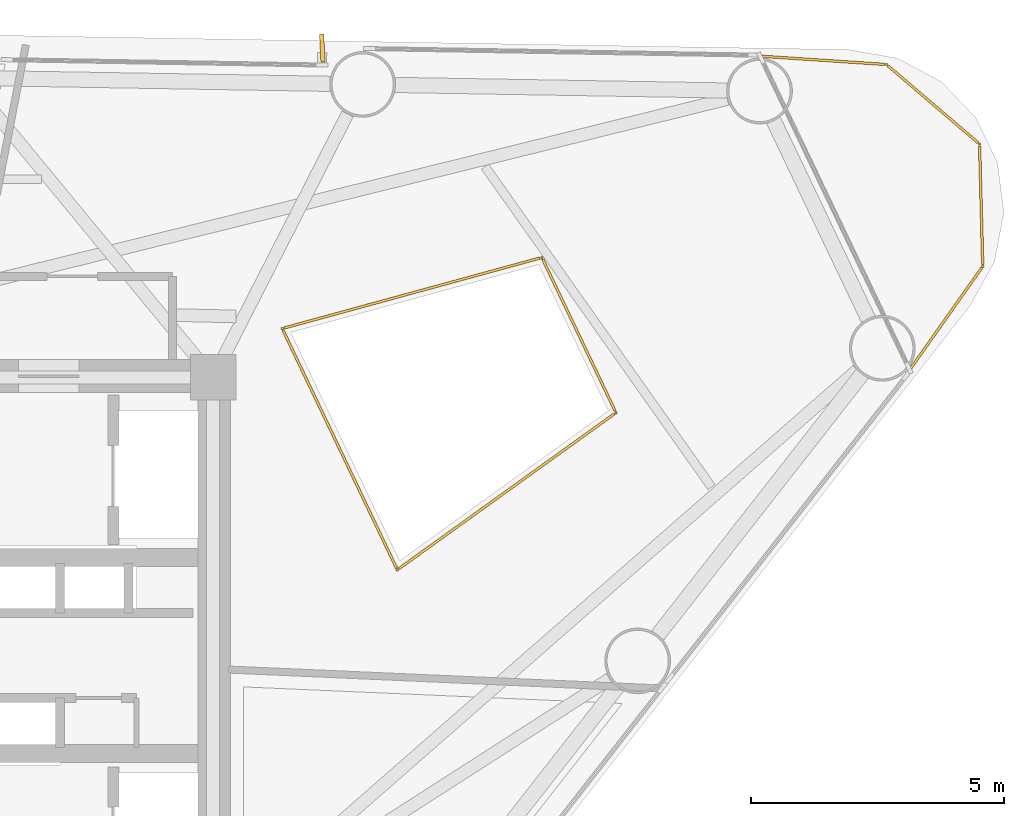
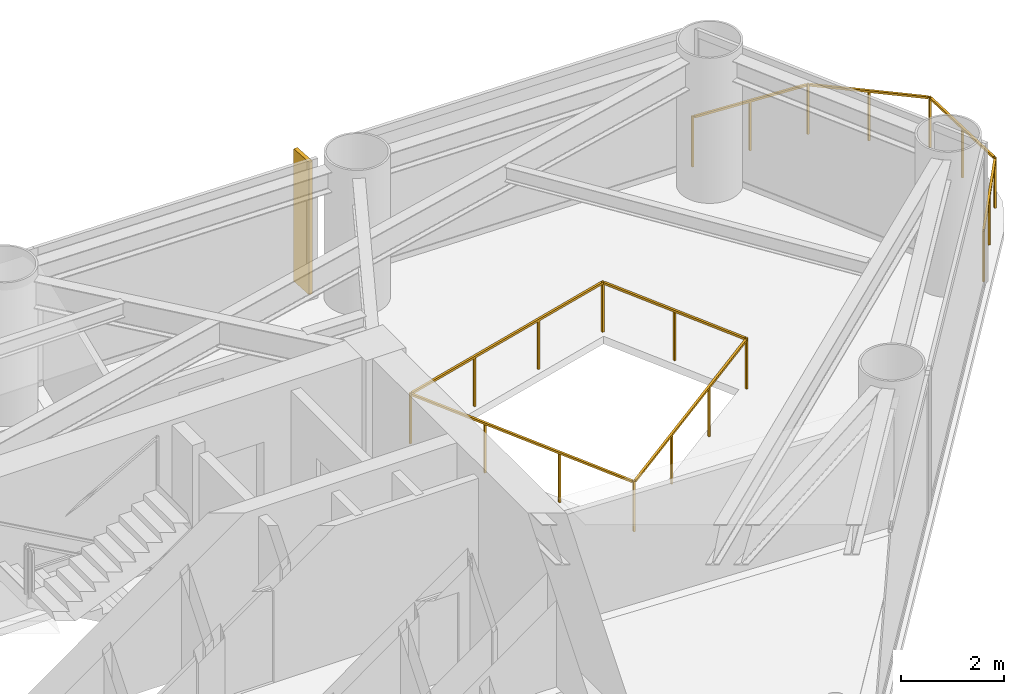
# One storey, part 10 of 10: 2 railings, 1 shading device.
"""IFC4 building model written with IfcOpenShell, lengths in metres."""

from ifc_helpers import new_model, si_unit, direction, frame, origin, origin_2d, place, context, subcontext, project, spatial, rectangle, extrude, source, transform, mapped, material, material_profile, profile_set, type_object, element, save


model = new_model("IFC4")

# Units and contexts
model_context = context("Model", 3, precision=1e-05, world=origin(), true_north=direction((0.0, 1.0)))
body_context = subcontext(model_context, "Body", "Model", "MODEL_VIEW")
ifc_project = project(units=[si_unit("LENGTHUNIT", "METRE"), si_unit("AREAUNIT", "SQUARE_METRE"), si_unit("VOLUMEUNIT", "CUBIC_METRE"), si_unit("PLANEANGLEUNIT", "RADIAN"), si_unit("MASSUNIT", "GRAM", prefix="KILO")], contexts=[model_context])

# Site, building, storey
site_placement = place(None, origin())
site = spatial("IfcSite", under=ifc_project, at=site_placement, CompositionType="ELEMENT")
building_placement = place(site_placement, origin())
building = spatial("IfcBuilding", under=site, at=building_placement, Name="Yunling Apex Tower", CompositionType="ELEMENT")
storey_placement = place(building_placement, frame((0.0, 0.0, 146.75)))
storey = spatial("IfcBuildingStorey", under=building, at=storey_placement, Name="L36", CompositionType="ELEMENT", Elevation=146.75)

# Railings
ifc_material = material(Name="Bronze anodised aluminium", Category="aluminium")
railing_type = type_object("IfcRailingType", Name="RL-BAL-1200", PredefinedType="BALUSTRADE", material=ifc_material)
railing_1_placement = place(storey_placement, frame((16.8701171875, 11.853515625, 0.0)))
element("IfcRailing", 1, at=railing_1_placement, inside=storey, type_object=railing_type, Name="RL-CRNSILL-L36-1", PredefinedType="BALUSTRADE", context=body_context, shape_type="SweptSolid", body=[
    extrude(rectangle(XDim=0.0439453125, YDim=0.0439453125, at=origin_2d()), origin(), (0.0, 0.0, 1.0), 1.199951171875),
    extrude(rectangle(XDim=0.0439453125, YDim=0.0439453125, at=origin_2d()), frame((2.498779296875, -0.164794921875, 0.0)), (0.0, 0.0, 1.0), 1.199951171875),
    extrude(rectangle(XDim=0.050048828125, YDim=0.050048828125, at=origin_2d()), frame((0.038330078125, -0.00244140625, 1.1748046875), z_axis=(0.99783235592, -0.065807214484, 0.0), x_axis=(0.065807214484, 0.99783235592, 0.0)), (0.0, 0.0, 1.0), 2.427490234375),
    extrude(rectangle(XDim=0.0439453125, YDim=0.0439453125, at=origin_2d()), frame((1.24951171875, -0.08251953125, 0.0)), (0.0, 0.0, 1.0), 1.14599609375),
    extrude(rectangle(XDim=0.0439453125, YDim=0.0439453125, at=origin_2d()), frame((4.339599609375, -1.737060546875, 0.0)), (0.0, 0.0, 1.0), 1.199951171875),
    extrude(rectangle(XDim=0.050048828125, YDim=0.050048828125, at=origin_2d()), frame((2.52783203125, -0.189697265625, 1.1748046875), z_axis=(0.760394429478, -0.649461555151, 0.0), x_axis=(0.649461555151, 0.760394429478, 0.0)), (0.0, 0.0, 1.0), 2.34423828125),
    extrude(rectangle(XDim=0.0439453125, YDim=0.0439453125, at=origin_2d()), frame((3.419189453125, -0.950927734375, 0.0)), (0.0, 0.0, 1.0), 1.14599609375),
    extrude(rectangle(XDim=0.0439453125, YDim=0.0439453125, at=origin_2d()), frame((4.403076171875, -4.156982421875, 0.0)), (0.0, 0.0, 1.0), 1.199951171875),
    extrude(rectangle(XDim=0.050048828125, YDim=0.050048828125, at=origin_2d()), frame((4.340576171875, -1.775390625, 1.1748046875), z_axis=(0.026221811823, -0.999656149176, 0.0), x_axis=(0.999656149176, 0.026221811823, 0.0)), (0.0, 0.0, 1.0), 2.343994140625),
    extrude(rectangle(XDim=0.0439453125, YDim=0.0439453125, at=origin_2d()), frame((4.371337890625, -2.947021484375, 0.0)), (0.0, 0.0, 1.0), 1.14599609375),
    extrude(rectangle(XDim=0.0439453125, YDim=0.0439453125, at=origin_2d()), frame((2.95849609375, -6.20263671875, 0.0)), (0.0, 0.0, 1.0), 1.199951171875),
    extrude(rectangle(XDim=0.050048828125, YDim=0.050048828125, at=origin_2d()), frame((4.380859375, -4.188232421875, 1.1748046875), z_axis=(-0.576840114355, -0.816857075914, 0.0), x_axis=(0.816857075914, -0.576840114355, 0.0)), (0.0, 0.0, 1.0), 2.427734375),
    extrude(rectangle(XDim=0.0439453125, YDim=0.0439453125, at=origin_2d()), frame((3.6806640625, -5.1796875, 0.0)), (0.0, 0.0, 1.0), 1.14599609375),
])
railing_2_placement = place(storey_placement, frame((7.41845703125, 6.46728515625, 0.0)))
element("IfcRailing", 2, at=railing_2_placement, inside=storey, type_object=railing_type, Name="RL-TATR-L36", PredefinedType="BALUSTRADE", context=body_context, shape_type="SweptSolid", body=[
    extrude(rectangle(XDim=0.0439453125, YDim=0.0439453125, at=origin_2d()), origin(), (0.0, 0.0, 1.0), 1.199951171875),
    extrude(rectangle(XDim=0.0439453125, YDim=0.0439453125, at=origin_2d()), frame((5.135498046875, 1.404541015625, 0.0)), (0.0, 0.0, 1.0), 1.199951171875),
    extrude(rectangle(XDim=0.050048828125, YDim=0.050048828125, at=origin_2d()), frame((0.036865234375, 0.010009765625, 1.1748046875), z_axis=(0.964575212807, 0.263807996162, 0.0), x_axis=(-0.263807996162, 0.964575212807, 0.0)), (0.0, 0.0, 1.0), 5.24755859375),
    extrude(rectangle(XDim=0.0439453125, YDim=0.0439453125, at=origin_2d()), frame((1.7119140625, 0.46826171875, 0.0)), (0.0, 0.0, 1.0), 1.14599609375),
    extrude(rectangle(XDim=0.0439453125, YDim=0.0439453125, at=origin_2d()), frame((3.423583984375, 0.936279296875, 0.0)), (0.0, 0.0, 1.0), 1.14599609375),
    extrude(rectangle(XDim=0.0439453125, YDim=0.0439453125, at=origin_2d()), frame((6.599609375, -1.664794921875, 0.0)), (0.0, 0.0, 1.0), 1.199951171875),
    extrude(rectangle(XDim=0.050048828125, YDim=0.050048828125, at=origin_2d()), frame((5.152099609375, 1.369873046875, 1.1748046875), z_axis=(0.430538211034, -0.902572351028, 0.0), x_axis=(0.902572351028, 0.430538211034, 0.0)), (0.0, 0.0, 1.0), 3.323974609375),
    extrude(rectangle(XDim=0.0439453125, YDim=0.0439453125, at=origin_2d()), frame((5.86767578125, -0.130126953125, 0.0)), (0.0, 0.0, 1.0), 1.14599609375),
    extrude(rectangle(XDim=0.0439453125, YDim=0.0439453125, at=origin_2d()), frame((2.276123046875, -4.77197265625, 0.0)), (0.0, 0.0, 1.0), 1.199951171875),
    extrude(rectangle(XDim=0.050048828125, YDim=0.050048828125, at=origin_2d()), frame((6.568603515625, -1.687255859375, 1.1748046875), z_axis=(-0.812044572196, -0.583595418733, 0.0), x_axis=(0.583595418733, -0.812044572196, 0.0)), (0.0, 0.0, 1.0), 5.24755859375),
    extrude(rectangle(XDim=0.0439453125, YDim=0.0439453125, at=origin_2d()), frame((5.158447265625, -2.700439453125, 0.0)), (0.0, 0.0, 1.0), 1.14599609375),
    extrude(rectangle(XDim=0.0439453125, YDim=0.0439453125, at=origin_2d()), frame((3.71728515625, -3.736328125, 0.0)), (0.0, 0.0, 1.0), 1.14599609375),
    extrude(rectangle(XDim=0.050048828125, YDim=0.050048828125, at=origin_2d()), frame((2.259521484375, -4.7373046875, 1.1748046875), z_axis=(-0.430512460038, 0.902584634121, 0.0), x_axis=(-0.902584634121, -0.430512460038, 0.0)), (0.0, 0.0, 1.0), 5.21044921875),
    extrude(rectangle(XDim=0.0439453125, YDim=0.0439453125, at=origin_2d()), frame((1.517333984375, -3.181396484375, 0.0)), (0.0, 0.0, 1.0), 1.14599609375),
    extrude(rectangle(XDim=0.0439453125, YDim=0.0439453125, at=origin_2d()), frame((0.7587890625, -1.590576171875, 0.0)), (0.0, 0.0, 1.0), 1.14599609375),
])

# Shading device
ifc_material_profile = material_profile(ifc_material, rectangle(XDim=0.0849609375, YDim=0.550048828125, at=origin_2d()))
ifc_profile_set = profile_set([ifc_material_profile], Name="Bronze anodised aluminium")
shading_device_type = type_object("IfcShadingDeviceType", Name="FN-BRZ-3", PredefinedType="USERDEFINED", material=ifc_profile_set)
shared_shape = source(origin(), body_context, "Body", "SweptSolid", [
    extrude(rectangle(XDim=0.0849609375, YDim=0.550048828125, at=origin_2d()), origin(), (0.0, 0.0, 1.0), 3.14990234375),
])
shading_device_placement = place(storey_placement, frame((8.21142578125, 12.013671875, 0.06005859375), z_axis=(0.0, 0.0, 1.0), x_axis=(-0.998814648022, -0.048675444496, 0.0)))
element("IfcShadingDevice", 3, at=shading_device_placement, inside=storey, type_object=shading_device_type, Name="CW-L36-F2-B2-FIN-01", ObjectType="FIN", PredefinedType="USERDEFINED", context=body_context, shape_type="MappedRepresentation", body=[
    mapped(shared_shape, transform((0.0, 0.0, 0.0), scale=1.0)),
])

save(model, "model.ifc")
